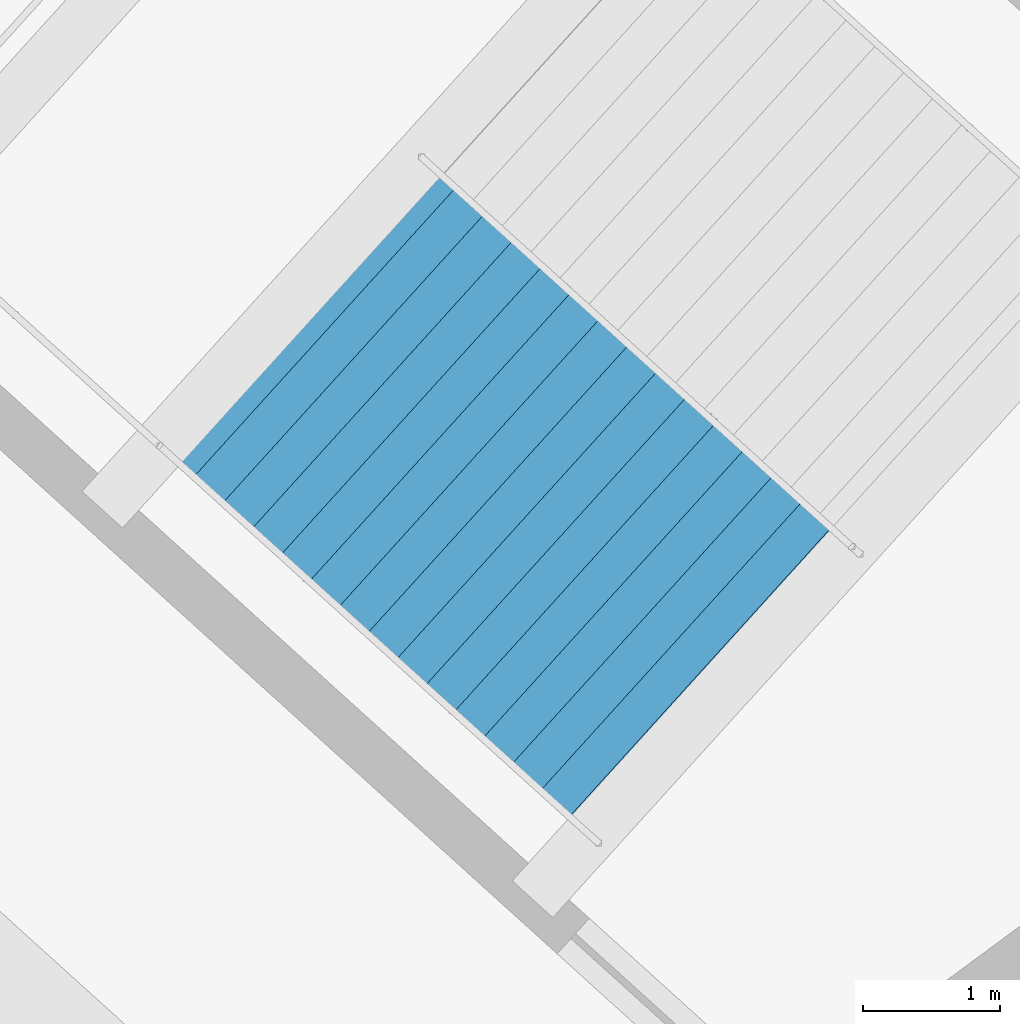
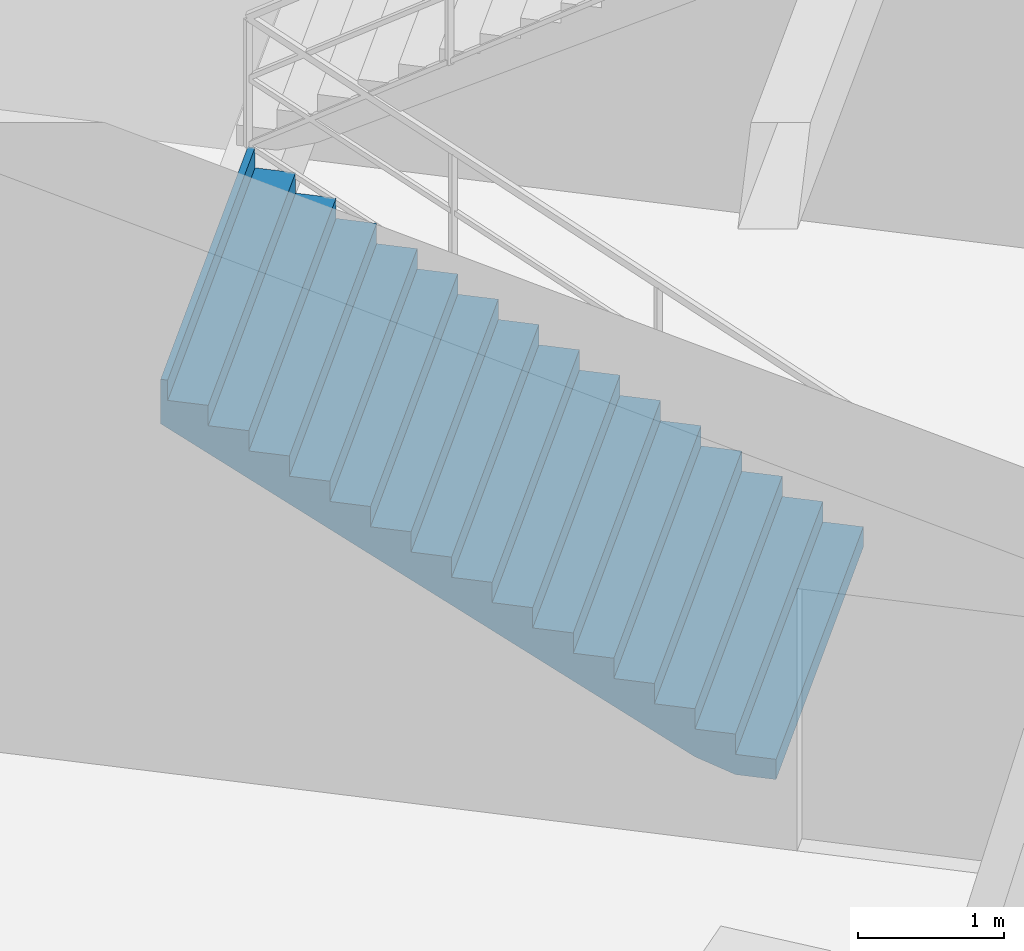
# One storey, part 39 of 49: 1 stair flight, 1 element without a shape of its own.
"""IFC4 building model written with IfcOpenShell, lengths in metres."""

from ifc_helpers import new_model, si_unit, direction, frame, origin, place, context, subcontext, project, spatial, polygons, material, type_object, element, aggregate, save


model = new_model("IFC4")

# Units and contexts
model_context = context("Model", 3, precision=1e-05, world=origin(), true_north=direction((0.0, 1.0)))
body_context = subcontext(model_context, "Body", "Model", "MODEL_VIEW")
ifc_project = project(units=[si_unit("LENGTHUNIT", "METRE"), si_unit("AREAUNIT", "SQUARE_METRE"), si_unit("VOLUMEUNIT", "CUBIC_METRE"), si_unit("PLANEANGLEUNIT", "RADIAN"), si_unit("MASSUNIT", "GRAM", prefix="KILO")], contexts=[model_context])

# Site, building, storey
site_placement = place(None, origin())
site = spatial("IfcSite", under=ifc_project, at=site_placement, CompositionType="ELEMENT")
building_placement = place(site_placement, origin())
building = spatial("IfcBuilding", under=site, at=building_placement, Name="Kazemori Nagisa Stadium", CompositionType="ELEMENT")
storey_placement = place(building_placement, frame((0.0, 0.0, -5.43994140625)))
storey = spatial("IfcBuildingStorey", under=building, at=storey_placement, Name="B1", CompositionType="ELEMENT", Elevation=-5.43994140625)

# Stair, stair flight
ifc_material = material(Name="Concrete C36/45 (Fc36)", Category="concrete")
stair_type = type_object("IfcStairType", Name="Stair_CORE_32", PredefinedType="TWO_STRAIGHT_RUN_STAIR", material=ifc_material)
stair_placement = place(storey_placement, origin())
stair = element("IfcStair", 1, at=stair_placement, inside=storey, type_object=stair_type, Name="Exit stair ST01 B1", PredefinedType="TWO_STRAIGHT_RUN_STAIR")
stair_flight_type = type_object("IfcStairFlightType", Name="Flight_CORE_16", PredefinedType="STRAIGHT", material=ifc_material)
stair_flight_placement = place(storey_placement, frame((191.89208984375, 156.3369140625, 0.0), z_axis=(0.0, 0.0, 1.0), x_axis=(-0.741354464355, 0.671113670089, 0.0)))
stair_flight = element("IfcStairFlight", 2, at=stair_flight_placement, type_object=stair_flight_type, Name="Exit stair ST01 B1 flight 1", NumberOfRisers=16, NumberOfTreads=15, PredefinedType="STRAIGHT", RiserHeight=0.17, TreadLength=0.285, context=body_context, shape_type="Tessellation", body=[
    polygons([(0.0, -1.425048828125, 0.0), (0.0, -1.425048828125, 0.169921875), (0.284912109375, -1.425048828125, 0.169921875), (0.284912109375, -1.425048828125, 0.340087890625), (0.570068359375, -1.425048828125, 0.340087890625), (0.570068359375, -1.425048828125, 0.510009765625), (0.85498046875, -1.425048828125, 0.510009765625), (0.85498046875, -1.425048828125, 0.679931640625), (1.139892578125, -1.425048828125, 0.679931640625), (1.139892578125, -1.425048828125, 0.85009765625), (1.425048828125, -1.425048828125, 0.85009765625), (1.425048828125, -1.425048828125, 1.02001953125), (1.7099609375, -1.425048828125, 1.02001953125), (1.7099609375, -1.425048828125, 1.18994140625), (1.9951171875, -1.425048828125, 1.18994140625), (1.9951171875, -1.425048828125, 1.360107421875), (2.280029296875, -1.425048828125, 1.360107421875), (2.280029296875, -1.425048828125, 1.530029296875), (2.56494140625, -1.425048828125, 1.530029296875), (2.56494140625, -1.425048828125, 1.699951171875), (2.85009765625, -1.425048828125, 1.699951171875), (2.85009765625, -1.425048828125, 1.8701171875), (3.135009765625, -1.425048828125, 1.8701171875), (3.135009765625, -1.425048828125, 2.0400390625), (3.419921875, -1.425048828125, 2.0400390625), (3.419921875, -1.425048828125, 2.2099609375), (3.705078125, -1.425048828125, 2.2099609375), (3.705078125, -1.425048828125, 2.3798828125), (3.989990234375, -1.425048828125, 2.3798828125), (3.989990234375, -1.425048828125, 2.550048828125), (4.27490234375, -1.425048828125, 2.550048828125), (4.27490234375, -1.425048828125, 2.719970703125), (4.324951171875, -1.425048828125, 2.719970703125), (4.324951171875, -1.425048828125, 2.346923828125), (4.27490234375, -1.425048828125, 2.317138671875), (3.989990234375, -1.425048828125, 2.147216796875), (3.705078125, -1.425048828125, 1.977294921875), (3.419921875, -1.425048828125, 1.80712890625), (3.135009765625, -1.425048828125, 1.63720703125), (2.85009765625, -1.425048828125, 1.46728515625), (2.56494140625, -1.425048828125, 1.297119140625), (2.280029296875, -1.425048828125, 1.127197265625), (1.9951171875, -1.425048828125, 0.957275390625), (1.7099609375, -1.425048828125, 0.787109375), (1.425048828125, -1.425048828125, 0.6171875), (1.139892578125, -1.425048828125, 0.447265625), (0.85498046875, -1.425048828125, 0.277099609375), (0.570068359375, -1.425048828125, 0.107177734375), (0.284912109375, -1.425048828125, 0.0), (0.0, -0.08544921875, 0.0), (0.0, -0.08544921875, 0.169921875), (0.284912109375, -0.08544921875, 0.169921875), (0.284912109375, -0.08544921875, 0.340087890625), (0.570068359375, -0.08544921875, 0.340087890625), (0.570068359375, -0.08544921875, 0.510009765625), (0.85498046875, -0.08544921875, 0.510009765625), (0.85498046875, -0.08544921875, 0.679931640625), (1.139892578125, -0.08544921875, 0.679931640625), (1.139892578125, -0.08544921875, 0.85009765625), (1.425048828125, -0.08544921875, 0.85009765625), (1.425048828125, -0.08544921875, 1.02001953125), (1.7099609375, -0.08544921875, 1.02001953125), (1.7099609375, -0.08544921875, 1.18994140625), (1.9951171875, -0.08544921875, 1.18994140625), (1.9951171875, -0.08544921875, 1.360107421875), (2.280029296875, -0.08544921875, 1.360107421875), (2.280029296875, -0.08544921875, 1.530029296875), (2.56494140625, -0.08544921875, 1.530029296875), (2.56494140625, -0.08544921875, 1.699951171875), (2.85009765625, -0.08544921875, 1.699951171875), (2.85009765625, -0.08544921875, 1.8701171875), (3.135009765625, -0.08544921875, 1.8701171875), (3.135009765625, -0.08544921875, 2.0400390625), (3.419921875, -0.08544921875, 2.0400390625), (3.419921875, -0.08544921875, 2.2099609375), (3.705078125, -0.08544921875, 2.2099609375), (3.705078125, -0.08544921875, 2.3798828125), (3.989990234375, -0.08544921875, 2.3798828125), (3.989990234375, -0.08544921875, 2.550048828125), (4.27490234375, -0.08544921875, 2.550048828125), (4.27490234375, -0.08544921875, 2.719970703125), (4.324951171875, -0.08544921875, 2.719970703125), (4.324951171875, -0.08544921875, 2.346923828125), (4.27490234375, -0.08544921875, 2.317138671875), (3.989990234375, -0.08544921875, 2.147216796875), (3.705078125, -0.08544921875, 1.977294921875), (3.419921875, -0.08544921875, 1.80712890625), (3.135009765625, -0.08544921875, 1.63720703125), (2.85009765625, -0.08544921875, 1.46728515625), (2.56494140625, -0.08544921875, 1.297119140625), (2.280029296875, -0.08544921875, 1.127197265625), (1.9951171875, -0.08544921875, 0.957275390625), (1.7099609375, -0.08544921875, 0.787109375), (1.425048828125, -0.08544921875, 0.6171875), (1.139892578125, -0.08544921875, 0.447265625), (0.85498046875, -0.08544921875, 0.277099609375), (0.570068359375, -0.08544921875, 0.107177734375), (0.284912109375, -0.08544921875, 0.0), (0.0, 0.0, 0.0), (0.0, 0.0, 0.169921875), (0.284912109375, 0.0, 0.169921875), (0.284912109375, 0.0, 0.340087890625), (0.570068359375, 0.0, 0.340087890625), (0.570068359375, 0.0, 0.510009765625), (0.85498046875, 0.0, 0.510009765625), (0.85498046875, 0.0, 0.679931640625), (1.139892578125, 0.0, 0.679931640625), (1.139892578125, 0.0, 0.85009765625), (1.425048828125, 0.0, 0.85009765625), (1.425048828125, 0.0, 1.02001953125), (1.7099609375, 0.0, 1.02001953125), (1.7099609375, 0.0, 1.18994140625), (1.9951171875, 0.0, 1.18994140625), (1.9951171875, 0.0, 1.360107421875), (2.280029296875, 0.0, 1.360107421875), (2.280029296875, 0.0, 1.530029296875), (2.56494140625, 0.0, 1.530029296875), (2.56494140625, 0.0, 1.699951171875), (2.85009765625, 0.0, 1.699951171875), (2.85009765625, 0.0, 1.8701171875), (3.135009765625, 0.0, 1.8701171875), (3.135009765625, 0.0, 2.0400390625), (3.419921875, 0.0, 2.0400390625), (3.419921875, 0.0, 2.2099609375), (3.705078125, 0.0, 2.2099609375), (3.705078125, 0.0, 2.3798828125), (3.989990234375, 0.0, 2.3798828125), (3.989990234375, 0.0, 2.550048828125), (4.27490234375, 0.0, 2.550048828125), (4.27490234375, 0.0, 2.719970703125), (4.324951171875, 0.0, 2.719970703125), (4.324951171875, 0.0, 2.346923828125), (4.27490234375, 0.0, 2.317138671875), (3.989990234375, 0.0, 2.147216796875), (3.705078125, 0.0, 1.977294921875), (3.419921875, 0.0, 1.80712890625), (3.135009765625, 0.0, 1.63720703125), (2.85009765625, 0.0, 1.46728515625), (2.56494140625, 0.0, 1.297119140625), (2.280029296875, 0.0, 1.127197265625), (1.9951171875, 0.0, 0.957275390625), (1.7099609375, 0.0, 0.787109375), (1.425048828125, 0.0, 0.6171875), (1.139892578125, 0.0, 0.447265625), (0.85498046875, 0.0, 0.277099609375), (0.570068359375, 0.0, 0.107177734375), (0.284912109375, 0.0, 0.0), (0.0, 0.08544921875, 0.0), (0.0, 0.08544921875, 0.169921875), (0.284912109375, 0.08544921875, 0.169921875), (0.284912109375, 0.08544921875, 0.340087890625), (0.570068359375, 0.08544921875, 0.340087890625), (0.570068359375, 0.08544921875, 0.510009765625), (0.85498046875, 0.08544921875, 0.510009765625), (0.85498046875, 0.08544921875, 0.679931640625), (1.139892578125, 0.08544921875, 0.679931640625), (1.139892578125, 0.08544921875, 0.85009765625), (1.425048828125, 0.08544921875, 0.85009765625), (1.425048828125, 0.08544921875, 1.02001953125), (1.7099609375, 0.08544921875, 1.02001953125), (1.7099609375, 0.08544921875, 1.18994140625), (1.9951171875, 0.08544921875, 1.18994140625), (1.9951171875, 0.08544921875, 1.360107421875), (2.280029296875, 0.08544921875, 1.360107421875), (2.280029296875, 0.08544921875, 1.530029296875), (2.56494140625, 0.08544921875, 1.530029296875), (2.56494140625, 0.08544921875, 1.699951171875), (2.85009765625, 0.08544921875, 1.699951171875), (2.85009765625, 0.08544921875, 1.8701171875), (3.135009765625, 0.08544921875, 1.8701171875), (3.135009765625, 0.08544921875, 2.0400390625), (3.419921875, 0.08544921875, 2.0400390625), (3.419921875, 0.08544921875, 2.2099609375), (3.705078125, 0.08544921875, 2.2099609375), (3.705078125, 0.08544921875, 2.3798828125), (3.989990234375, 0.08544921875, 2.3798828125), (3.989990234375, 0.08544921875, 2.550048828125), (4.27490234375, 0.08544921875, 2.550048828125), (4.27490234375, 0.08544921875, 2.719970703125), (4.324951171875, 0.08544921875, 2.719970703125), (4.324951171875, 0.08544921875, 2.346923828125), (4.27490234375, 0.08544921875, 2.317138671875), (3.989990234375, 0.08544921875, 2.147216796875), (3.705078125, 0.08544921875, 1.977294921875), (3.419921875, 0.08544921875, 1.80712890625), (3.135009765625, 0.08544921875, 1.63720703125), (2.85009765625, 0.08544921875, 1.46728515625), (2.56494140625, 0.08544921875, 1.297119140625), (2.280029296875, 0.08544921875, 1.127197265625), (1.9951171875, 0.08544921875, 0.957275390625), (1.7099609375, 0.08544921875, 0.787109375), (1.425048828125, 0.08544921875, 0.6171875), (1.139892578125, 0.08544921875, 0.447265625), (0.85498046875, 0.08544921875, 0.277099609375), (0.570068359375, 0.08544921875, 0.107177734375), (0.284912109375, 0.08544921875, 0.0), (0.0, 1.425048828125, 0.0), (0.0, 1.425048828125, 0.169921875), (0.284912109375, 1.425048828125, 0.169921875), (0.284912109375, 1.425048828125, 0.340087890625), (0.570068359375, 1.425048828125, 0.340087890625), (0.570068359375, 1.425048828125, 0.510009765625), (0.85498046875, 1.425048828125, 0.510009765625), (0.85498046875, 1.425048828125, 0.679931640625), (1.139892578125, 1.425048828125, 0.679931640625), (1.139892578125, 1.425048828125, 0.85009765625), (1.425048828125, 1.425048828125, 0.85009765625), (1.425048828125, 1.425048828125, 1.02001953125), (1.7099609375, 1.425048828125, 1.02001953125), (1.7099609375, 1.425048828125, 1.18994140625), (1.9951171875, 1.425048828125, 1.18994140625), (1.9951171875, 1.425048828125, 1.360107421875), (2.280029296875, 1.425048828125, 1.360107421875), (2.280029296875, 1.425048828125, 1.530029296875), (2.56494140625, 1.425048828125, 1.530029296875), (2.56494140625, 1.425048828125, 1.699951171875), (2.85009765625, 1.425048828125, 1.699951171875), (2.85009765625, 1.425048828125, 1.8701171875), (3.135009765625, 1.425048828125, 1.8701171875), (3.135009765625, 1.425048828125, 2.0400390625), (3.419921875, 1.425048828125, 2.0400390625), (3.419921875, 1.425048828125, 2.2099609375), (3.705078125, 1.425048828125, 2.2099609375), (3.705078125, 1.425048828125, 2.3798828125), (3.989990234375, 1.425048828125, 2.3798828125), (3.989990234375, 1.425048828125, 2.550048828125), (4.27490234375, 1.425048828125, 2.550048828125), (4.27490234375, 1.425048828125, 2.719970703125), (4.324951171875, 1.425048828125, 2.719970703125), (4.324951171875, 1.425048828125, 2.346923828125), (4.27490234375, 1.425048828125, 2.317138671875), (3.989990234375, 1.425048828125, 2.147216796875), (3.705078125, 1.425048828125, 1.977294921875), (3.419921875, 1.425048828125, 1.80712890625), (3.135009765625, 1.425048828125, 1.63720703125), (2.85009765625, 1.425048828125, 1.46728515625), (2.56494140625, 1.425048828125, 1.297119140625), (2.280029296875, 1.425048828125, 1.127197265625), (1.9951171875, 1.425048828125, 0.957275390625), (1.7099609375, 1.425048828125, 0.787109375), (1.425048828125, 1.425048828125, 0.6171875), (1.139892578125, 1.425048828125, 0.447265625), (0.85498046875, 1.425048828125, 0.277099609375), (0.570068359375, 1.425048828125, 0.107177734375), (0.284912109375, 1.425048828125, 0.0)], [[[1, 2, 51]], [[1, 51, 50]], [[2, 3, 52]], [[2, 52, 51]], [[3, 4, 53]], [[3, 53, 52]], [[4, 5, 54]], [[4, 54, 53]], [[5, 6, 55]], [[5, 55, 54]], [[6, 7, 56]], [[6, 56, 55]], [[7, 8, 57]], [[7, 57, 56]], [[8, 9, 58]], [[8, 58, 57]], [[9, 10, 59]], [[9, 59, 58]], [[10, 11, 60]], [[10, 60, 59]], [[11, 12, 61]], [[11, 61, 60]], [[12, 13, 62]], [[12, 62, 61]], [[13, 14, 63]], [[13, 63, 62]], [[14, 15, 64]], [[14, 64, 63]], [[15, 16, 65]], [[15, 65, 64]], [[16, 17, 66]], [[16, 66, 65]], [[17, 18, 67]], [[17, 67, 66]], [[18, 19, 68]], [[18, 68, 67]], [[19, 20, 69]], [[19, 69, 68]], [[20, 21, 70]], [[20, 70, 69]], [[21, 22, 71]], [[21, 71, 70]], [[22, 23, 72]], [[22, 72, 71]], [[23, 24, 73]], [[23, 73, 72]], [[24, 25, 74]], [[24, 74, 73]], [[25, 26, 75]], [[25, 75, 74]], [[26, 27, 76]], [[26, 76, 75]], [[27, 28, 77]], [[27, 77, 76]], [[28, 29, 78]], [[28, 78, 77]], [[29, 30, 79]], [[29, 79, 78]], [[30, 31, 80]], [[30, 80, 79]], [[31, 32, 81]], [[31, 81, 80]], [[32, 33, 82]], [[32, 82, 81]], [[33, 34, 83]], [[33, 83, 82]], [[34, 35, 84]], [[34, 84, 83]], [[35, 36, 85]], [[35, 85, 84]], [[36, 37, 86]], [[36, 86, 85]], [[37, 38, 87]], [[37, 87, 86]], [[38, 39, 88]], [[38, 88, 87]], [[39, 40, 89]], [[39, 89, 88]], [[40, 41, 90]], [[40, 90, 89]], [[41, 42, 91]], [[41, 91, 90]], [[42, 43, 92]], [[42, 92, 91]], [[43, 44, 93]], [[43, 93, 92]], [[44, 45, 94]], [[44, 94, 93]], [[45, 46, 95]], [[45, 95, 94]], [[46, 47, 96]], [[46, 96, 95]], [[47, 48, 97]], [[47, 97, 96]], [[48, 49, 98]], [[48, 98, 97]], [[49, 1, 50]], [[49, 50, 98]], [[50, 51, 100]], [[50, 100, 99]], [[51, 52, 101]], [[51, 101, 100]], [[52, 53, 102]], [[52, 102, 101]], [[53, 54, 103]], [[53, 103, 102]], [[54, 55, 104]], [[54, 104, 103]], [[55, 56, 105]], [[55, 105, 104]], [[56, 57, 106]], [[56, 106, 105]], [[57, 58, 107]], [[57, 107, 106]], [[58, 59, 108]], [[58, 108, 107]], [[59, 60, 109]], [[59, 109, 108]], [[60, 61, 110]], [[60, 110, 109]], [[61, 62, 111]], [[61, 111, 110]], [[62, 63, 112]], [[62, 112, 111]], [[63, 64, 113]], [[63, 113, 112]], [[64, 65, 114]], [[64, 114, 113]], [[65, 66, 115]], [[65, 115, 114]], [[66, 67, 116]], [[66, 116, 115]], [[67, 68, 117]], [[67, 117, 116]], [[68, 69, 118]], [[68, 118, 117]], [[69, 70, 119]], [[69, 119, 118]], [[70, 71, 120]], [[70, 120, 119]], [[71, 72, 121]], [[71, 121, 120]], [[72, 73, 122]], [[72, 122, 121]], [[73, 74, 123]], [[73, 123, 122]], [[74, 75, 124]], [[74, 124, 123]], [[75, 76, 125]], [[75, 125, 124]], [[76, 77, 126]], [[76, 126, 125]], [[77, 78, 127]], [[77, 127, 126]], [[78, 79, 128]], [[78, 128, 127]], [[79, 80, 129]], [[79, 129, 128]], [[80, 81, 130]], [[80, 130, 129]], [[81, 82, 131]], [[81, 131, 130]], [[82, 83, 132]], [[82, 132, 131]], [[83, 84, 133]], [[83, 133, 132]], [[84, 85, 134]], [[84, 134, 133]], [[85, 86, 135]], [[85, 135, 134]], [[86, 87, 136]], [[86, 136, 135]], [[87, 88, 137]], [[87, 137, 136]], [[88, 89, 138]], [[88, 138, 137]], [[89, 90, 139]], [[89, 139, 138]], [[90, 91, 140]], [[90, 140, 139]], [[91, 92, 141]], [[91, 141, 140]], [[92, 93, 142]], [[92, 142, 141]], [[93, 94, 143]], [[93, 143, 142]], [[94, 95, 144]], [[94, 144, 143]], [[95, 96, 145]], [[95, 145, 144]], [[96, 97, 146]], [[96, 146, 145]], [[97, 98, 147]], [[97, 147, 146]], [[98, 50, 99]], [[98, 99, 147]], [[99, 100, 149]], [[99, 149, 148]], [[100, 101, 150]], [[100, 150, 149]], [[101, 102, 151]], [[101, 151, 150]], [[102, 103, 152]], [[102, 152, 151]], [[103, 104, 153]], [[103, 153, 152]], [[104, 105, 154]], [[104, 154, 153]], [[105, 106, 155]], [[105, 155, 154]], [[106, 107, 156]], [[106, 156, 155]], [[107, 108, 157]], [[107, 157, 156]], [[108, 109, 158]], [[108, 158, 157]], [[109, 110, 159]], [[109, 159, 158]], [[110, 111, 160]], [[110, 160, 159]], [[111, 112, 161]], [[111, 161, 160]], [[112, 113, 162]], [[112, 162, 161]], [[113, 114, 163]], [[113, 163, 162]], [[114, 115, 164]], [[114, 164, 163]], [[115, 116, 165]], [[115, 165, 164]], [[116, 117, 166]], [[116, 166, 165]], [[117, 118, 167]], [[117, 167, 166]], [[118, 119, 168]], [[118, 168, 167]], [[119, 120, 169]], [[119, 169, 168]], [[120, 121, 170]], [[120, 170, 169]], [[121, 122, 171]], [[121, 171, 170]], [[122, 123, 172]], [[122, 172, 171]], [[123, 124, 173]], [[123, 173, 172]], [[124, 125, 174]], [[124, 174, 173]], [[125, 126, 175]], [[125, 175, 174]], [[126, 127, 176]], [[126, 176, 175]], [[127, 128, 177]], [[127, 177, 176]], [[128, 129, 178]], [[128, 178, 177]], [[129, 130, 179]], [[129, 179, 178]], [[130, 131, 180]], [[130, 180, 179]], [[131, 132, 181]], [[131, 181, 180]], [[132, 133, 182]], [[132, 182, 181]], [[133, 134, 183]], [[133, 183, 182]], [[134, 135, 184]], [[134, 184, 183]], [[135, 136, 185]], [[135, 185, 184]], [[136, 137, 186]], [[136, 186, 185]], [[137, 138, 187]], [[137, 187, 186]], [[138, 139, 188]], [[138, 188, 187]], [[139, 140, 189]], [[139, 189, 188]], [[140, 141, 190]], [[140, 190, 189]], [[141, 142, 191]], [[141, 191, 190]], [[142, 143, 192]], [[142, 192, 191]], [[143, 144, 193]], [[143, 193, 192]], [[144, 145, 194]], [[144, 194, 193]], [[145, 146, 195]], [[145, 195, 194]], [[146, 147, 196]], [[146, 196, 195]], [[147, 99, 148]], [[147, 148, 196]], [[148, 149, 198]], [[148, 198, 197]], [[149, 150, 199]], [[149, 199, 198]], [[150, 151, 200]], [[150, 200, 199]], [[151, 152, 201]], [[151, 201, 200]], [[152, 153, 202]], [[152, 202, 201]], [[153, 154, 203]], [[153, 203, 202]], [[154, 155, 204]], [[154, 204, 203]], [[155, 156, 205]], [[155, 205, 204]], [[156, 157, 206]], [[156, 206, 205]], [[157, 158, 207]], [[157, 207, 206]], [[158, 159, 208]], [[158, 208, 207]], [[159, 160, 209]], [[159, 209, 208]], [[160, 161, 210]], [[160, 210, 209]], [[161, 162, 211]], [[161, 211, 210]], [[162, 163, 212]], [[162, 212, 211]], [[163, 164, 213]], [[163, 213, 212]], [[164, 165, 214]], [[164, 214, 213]], [[165, 166, 215]], [[165, 215, 214]], [[166, 167, 216]], [[166, 216, 215]], [[167, 168, 217]], [[167, 217, 216]], [[168, 169, 218]], [[168, 218, 217]], [[169, 170, 219]], [[169, 219, 218]], [[170, 171, 220]], [[170, 220, 219]], [[171, 172, 221]], [[171, 221, 220]], [[172, 173, 222]], [[172, 222, 221]], [[173, 174, 223]], [[173, 223, 222]], [[174, 175, 224]], [[174, 224, 223]], [[175, 176, 225]], [[175, 225, 224]], [[176, 177, 226]], [[176, 226, 225]], [[177, 178, 227]], [[177, 227, 226]], [[178, 179, 228]], [[178, 228, 227]], [[179, 180, 229]], [[179, 229, 228]], [[180, 181, 230]], [[180, 230, 229]], [[181, 182, 231]], [[181, 231, 230]], [[182, 183, 232]], [[182, 232, 231]], [[183, 184, 233]], [[183, 233, 232]], [[184, 185, 234]], [[184, 234, 233]], [[185, 186, 235]], [[185, 235, 234]], [[186, 187, 236]], [[186, 236, 235]], [[187, 188, 237]], [[187, 237, 236]], [[188, 189, 238]], [[188, 238, 237]], [[189, 190, 239]], [[189, 239, 238]], [[190, 191, 240]], [[190, 240, 239]], [[191, 192, 241]], [[191, 241, 240]], [[192, 193, 242]], [[192, 242, 241]], [[193, 194, 243]], [[193, 243, 242]], [[194, 195, 244]], [[194, 244, 243]], [[195, 196, 245]], [[195, 245, 244]], [[196, 148, 197]], [[196, 197, 245]], [[3, 2, 1]], [[197, 198, 199]], [[49, 3, 1]], [[197, 199, 245]], [[48, 3, 49]], [[245, 199, 244]], [[5, 3, 48]], [[244, 199, 201]], [[5, 4, 3]], [[199, 200, 201]], [[47, 5, 48]], [[244, 201, 243]], [[7, 5, 47]], [[243, 201, 203]], [[7, 6, 5]], [[201, 202, 203]], [[46, 7, 47]], [[243, 203, 242]], [[9, 7, 46]], [[242, 203, 205]], [[9, 8, 7]], [[203, 204, 205]], [[45, 9, 46]], [[242, 205, 241]], [[11, 9, 45]], [[241, 205, 207]], [[11, 10, 9]], [[205, 206, 207]], [[44, 11, 45]], [[241, 207, 240]], [[13, 11, 44]], [[240, 207, 209]], [[13, 12, 11]], [[207, 208, 209]], [[43, 13, 44]], [[240, 209, 239]], [[15, 13, 43]], [[239, 209, 211]], [[15, 14, 13]], [[209, 210, 211]], [[42, 15, 43]], [[239, 211, 238]], [[17, 15, 42]], [[238, 211, 213]], [[17, 16, 15]], [[211, 212, 213]], [[41, 17, 42]], [[238, 213, 237]], [[19, 17, 41]], [[237, 213, 215]], [[19, 18, 17]], [[213, 214, 215]], [[40, 19, 41]], [[237, 215, 236]], [[21, 19, 40]], [[236, 215, 217]], [[21, 20, 19]], [[215, 216, 217]], [[39, 21, 40]], [[236, 217, 235]], [[23, 21, 39]], [[235, 217, 219]], [[23, 22, 21]], [[217, 218, 219]], [[38, 23, 39]], [[235, 219, 234]], [[25, 23, 38]], [[234, 219, 221]], [[25, 24, 23]], [[219, 220, 221]], [[37, 25, 38]], [[234, 221, 233]], [[27, 25, 37]], [[233, 221, 223]], [[27, 26, 25]], [[221, 222, 223]], [[36, 27, 37]], [[233, 223, 232]], [[29, 27, 36]], [[232, 223, 225]], [[29, 28, 27]], [[223, 224, 225]], [[35, 29, 36]], [[232, 225, 231]], [[31, 29, 35]], [[231, 225, 227]], [[31, 30, 29]], [[225, 226, 227]], [[34, 31, 35]], [[231, 227, 230]], [[33, 31, 34]], [[230, 227, 229]], [[33, 32, 31]], [[227, 228, 229]]], closed=True),
])
aggregate(stair, [stair_flight])

save(model, "model.ifc")
